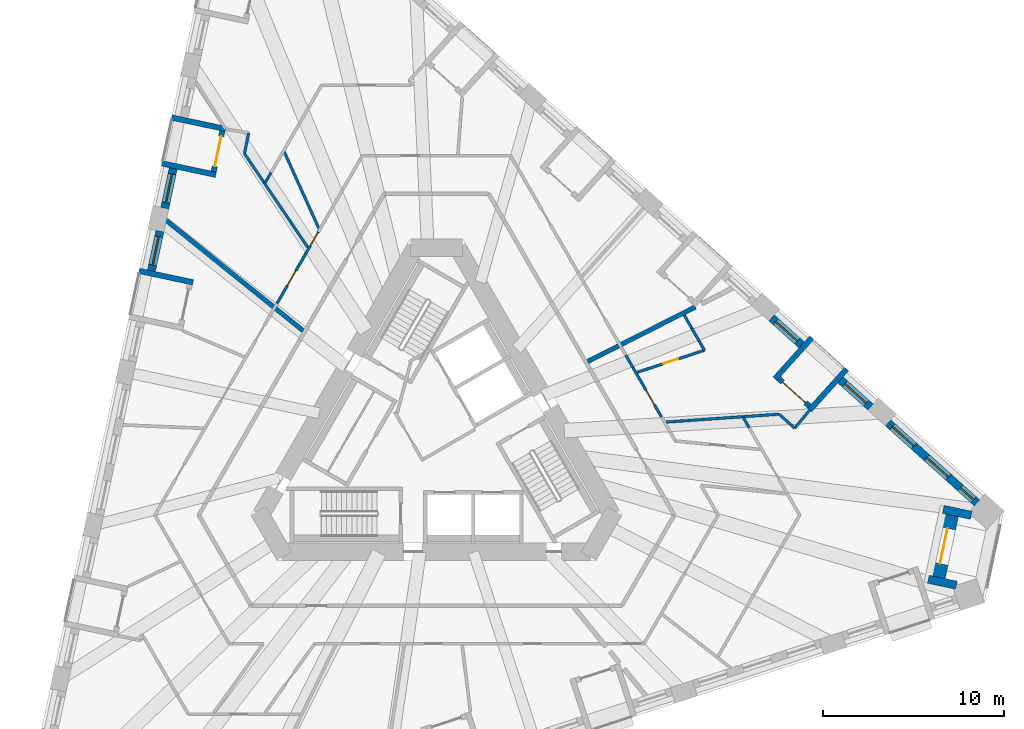
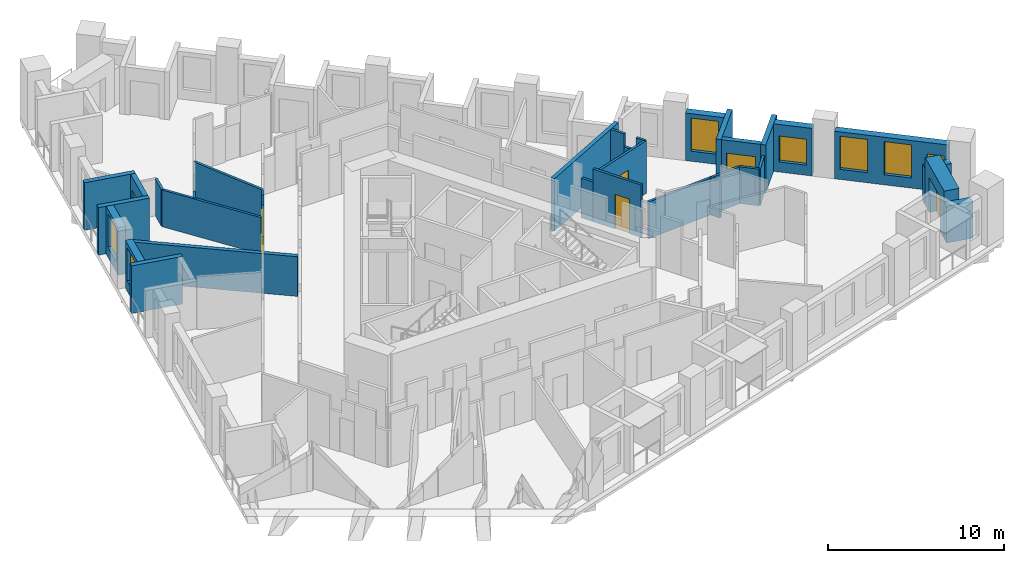
# One storey, part 7 of 13: 33 walls, 7 doors, 7 windows, 14 openings.
"""IFC4 building model written with IfcOpenShell, lengths in metres."""

from ifc_helpers import new_model, si_unit, direction, frame, frame_2d, origin, place, context, subcontext, project, spatial, polyline, rectangle, outline, extrude, material, layer, layer_set, type_object, element, fill, save


model = new_model("IFC4")

# Units and contexts
model_context = context("Model", 3, precision=1e-05, world=origin(), true_north=direction((0.0, 1.0)))
body_context = subcontext(model_context, "Body", "Model", "MODEL_VIEW")
ifc_project = project(units=[si_unit("LENGTHUNIT", "METRE"), si_unit("AREAUNIT", "SQUARE_METRE"), si_unit("VOLUMEUNIT", "CUBIC_METRE"), si_unit("PLANEANGLEUNIT", "RADIAN"), si_unit("MASSUNIT", "GRAM", prefix="KILO")], contexts=[model_context])

# Site, building, storey
site_placement = place(None, origin())
site = spatial("IfcSite", under=ifc_project, at=site_placement, CompositionType="ELEMENT")
building_placement = place(site_placement, origin())
building = spatial("IfcBuilding", under=site, at=building_placement, Name="Tramontana Tower", CompositionType="ELEMENT")
storey_placement = place(building_placement, frame((0.0, 0.0, 112.39990234375)))
storey = spatial("IfcBuildingStorey", under=building, at=storey_placement, Name="L25", CompositionType="ELEMENT", Elevation=112.39990234375)

# Wall, opening, window
ifc_material_1 = material(Name="Precast concrete 60 MPa", Category="concrete")
ifc_layer_1 = layer(ifc_material_1, 0.449951171875)
ifc_layer_set_1 = layer_set([ifc_layer_1], Name="Precast concrete 60 MPa, 450 mm")
wall_type_1 = type_object("IfcWallType", Name="EW1 Stone-faced precast wall 450", PredefinedType="SOLIDWALL", material=ifc_layer_set_1)
wall_1_placement = place(storey_placement, frame((-14.545654296875, 14.896728515625, 0.0), z_axis=(0.0, 0.0, 1.0), x_axis=(-0.207941001029, -0.978141370197, 0.0)))
wall_1 = element("IfcWall", 1, at=wall_1_placement, inside=storey, type_object=wall_type_1, Name="External wall L25 face 0 bay 2", PredefinedType="SOLIDWALL", context=body_context, shape_type="SweptSolid", body=[
    extrude(rectangle(XDim=2.236572265625, YDim=0.449951171875, at=frame_2d((1.1181640625, 0.0))), origin(), (0.0, 0.0, 1.0), 3.300048828125),
])
opening_1_placement = place(wall_1_placement, frame((0.318359375, 0.0, 0.699951171875)))
opening_1 = element("IfcOpeningElement", 2, at=opening_1_placement, cuts=wall_1, Name="Opening M1", PredefinedType="OPENING", context=body_context, shape_type="SweptSolid", body=[
    extrude(rectangle(XDim=1.60009765625, YDim=2.300048828125, at=frame_2d((0.800048828125, 1.14990234375))), frame((0.0, 0.23486328125, 0.0), z_axis=(0.0, -1.0, 0.0), x_axis=(1.0, 0.0, 0.0)), (0.0, 0.0, 1.0), 0.469970703125),
])
ifc_material_2 = material(Name="Aluminum frame, double glazing unit", Category="aluminium")
window_type_1 = type_object("IfcWindowType", Name="M1 Window 1.6 x 2.3", PartitioningType="SINGLE_PANEL", PredefinedType="WINDOW", material=ifc_material_2)
window_1_placement = place(opening_1_placement, origin())
window_1 = element("IfcWindow", 3, at=window_1_placement, inside=storey, type_object=window_type_1, Name="Window M1 L25 face 0 module 6", OverallHeight=2.300048828125, OverallWidth=1.60009765625, PartitioningType="SINGLE_PANEL", PredefinedType="WINDOW", context=body_context, shape_type="SweptSolid", body=[
    extrude(rectangle(XDim=1.60009765625, YDim=2.300048828125, at=frame_2d((0.800048828125, 1.14990234375))), frame((0.0, 0.030029296875, 0.0), z_axis=(0.0, -1.0, 0.0), x_axis=(1.0, 0.0, 0.0)), (0.0, 0.0, 1.0), 0.06005859375),
])
fill(opening_1, window_1)

wall_2_placement = place(storey_placement, frame((-15.281005859375, 11.437255859375, 0.0), z_axis=(0.0, 0.0, 1.0), x_axis=(-0.207941001029, -0.978141370197, 0.0)))
wall_2 = element("IfcWall", 4, at=wall_2_placement, inside=storey, type_object=wall_type_1, Name="External wall L25 face 0 bay 3", PredefinedType="SOLIDWALL", context=body_context, shape_type="SweptSolid", body=[
    extrude(rectangle(XDim=2.236572265625, YDim=0.449951171875, at=frame_2d((1.1181640625, 0.0))), origin(), (0.0, 0.0, 1.0), 3.300048828125),
])
opening_2_placement = place(wall_2_placement, frame((0.318359375, 0.0, 0.699951171875)))
opening_2 = element("IfcOpeningElement", 5, at=opening_2_placement, cuts=wall_2, Name="Opening M1", PredefinedType="OPENING", context=body_context, shape_type="SweptSolid", body=[
    extrude(rectangle(XDim=1.60009765625, YDim=2.300048828125, at=frame_2d((0.800048828125, 1.14990234375))), frame((0.0, 0.23486328125, 0.0), z_axis=(0.0, -1.0, 0.0), x_axis=(1.0, 0.0, 0.0)), (0.0, 0.0, 1.0), 0.469970703125),
])
window_2_placement = place(opening_2_placement, origin())
window_2 = element("IfcWindow", 6, at=window_2_placement, inside=storey, type_object=window_type_1, Name="Window M1 L25 face 0 module 7", OverallHeight=2.300048828125, OverallWidth=1.60009765625, PartitioningType="SINGLE_PANEL", PredefinedType="WINDOW", context=body_context, shape_type="SweptSolid", body=[
    extrude(rectangle(XDim=1.60009765625, YDim=2.300048828125, at=frame_2d((0.800048828125, 1.14990234375))), frame((0.0, 0.030029296875, 0.0), z_axis=(0.0, -1.0, 0.0), x_axis=(1.0, 0.0, 0.0)), (0.0, 0.0, 1.0), 0.06005859375),
])
fill(opening_2, window_2)

# Wall, openings, windows
wall_3_placement = place(storey_placement, frame((29.85986328125, -3.57275390625, 0.0), z_axis=(0.0, 0.0, 1.0), x_axis=(-0.743161908204, 0.669111633582, 0.0)))
wall_3 = element("IfcWall", 7, at=wall_3_placement, inside=storey, type_object=wall_type_1, Name="External wall L25 face 2 bay 1", PredefinedType="SOLIDWALL", context=body_context, shape_type="SweptSolid", body=[
    extrude(rectangle(XDim=6.6103515625, YDim=0.449951171875, at=frame_2d((3.30517578125, 0.0))), origin(), (0.0, 0.0, 1.0), 3.300048828125),
])
opening_3_placement = place(wall_3_placement, frame((0.243408203125, 0.0, 0.699951171875)))
opening_3 = element("IfcOpeningElement", 8, at=opening_3_placement, cuts=wall_3, Name="Opening N1L", PredefinedType="OPENING", context=body_context, shape_type="SweptSolid", body=[
    extrude(rectangle(XDim=1.0, YDim=1.800048828125, at=frame_2d((0.5, 0.89990234375))), frame((0.0, 0.23486328125, 0.0), z_axis=(0.0, -1.0, 0.0), x_axis=(1.0, 0.0, 0.0)), (0.0, 0.0, 1.0), 0.469970703125),
])
opening_4_placement = place(wall_3_placement, frame((2.130126953125, 0.0, 0.699951171875)))
opening_4 = element("IfcOpeningElement", 9, at=opening_4_placement, cuts=wall_3, Name="Opening M1", PredefinedType="OPENING", context=body_context, shape_type="SweptSolid", body=[
    extrude(rectangle(XDim=1.60009765625, YDim=2.300048828125, at=frame_2d((0.800048828125, 1.14990234375))), frame((0.0, 0.23486328125, 0.0), z_axis=(0.0, -1.0, 0.0), x_axis=(1.0, 0.0, 0.0)), (0.0, 0.0, 1.0), 0.469970703125),
])
opening_5_placement = place(wall_3_placement, frame((4.69189453125, 0.0, 0.699951171875)))
opening_5 = element("IfcOpeningElement", 10, at=opening_5_placement, cuts=wall_3, Name="Opening M1", PredefinedType="OPENING", context=body_context, shape_type="SweptSolid", body=[
    extrude(rectangle(XDim=1.60009765625, YDim=2.300048828125, at=frame_2d((0.800048828125, 1.14990234375))), frame((0.0, 0.23486328125, 0.0), z_axis=(0.0, -1.0, 0.0), x_axis=(1.0, 0.0, 0.0)), (0.0, 0.0, 1.0), 0.469970703125),
])
window_3_placement = place(opening_4_placement, origin())
window_3 = element("IfcWindow", 11, at=window_3_placement, inside=storey, type_object=window_type_1, Name="Window M1 L25 face 2 module 2", OverallHeight=2.300048828125, OverallWidth=1.60009765625, PartitioningType="SINGLE_PANEL", PredefinedType="WINDOW", context=body_context, shape_type="SweptSolid", body=[
    extrude(rectangle(XDim=1.60009765625, YDim=2.300048828125, at=frame_2d((0.800048828125, 1.14990234375))), frame((0.0, 0.030029296875, 0.0), z_axis=(0.0, -1.0, 0.0), x_axis=(1.0, 0.0, 0.0)), (0.0, 0.0, 1.0), 0.06005859375),
])
fill(opening_4, window_3)
window_4_placement = place(opening_5_placement, origin())
window_4 = element("IfcWindow", 12, at=window_4_placement, inside=storey, type_object=window_type_1, Name="Window M1 L25 face 2 module 3", OverallHeight=2.300048828125, OverallWidth=1.60009765625, PartitioningType="SINGLE_PANEL", PredefinedType="WINDOW", context=body_context, shape_type="SweptSolid", body=[
    extrude(rectangle(XDim=1.60009765625, YDim=2.300048828125, at=frame_2d((0.800048828125, 1.14990234375))), frame((0.0, 0.030029296875, 0.0), z_axis=(0.0, -1.0, 0.0), x_axis=(1.0, 0.0, 0.0)), (0.0, 0.0, 1.0), 0.06005859375),
])
fill(opening_5, window_4)
ifc_material_3 = material(Name="Aluminum frame, double glazing unit", Category="aluminium")
window_type_2 = type_object("IfcWindowType", Name="N1L Window 1 x 1.8", PartitioningType="SINGLE_PANEL", PredefinedType="WINDOW", material=ifc_material_3)
window_5_placement = place(opening_3_placement, origin())
window_5 = element("IfcWindow", 13, at=window_5_placement, inside=storey, type_object=window_type_2, Name="Window N1L L25 face 2 module 1", OverallHeight=1.800048828125, OverallWidth=1.0, PartitioningType="SINGLE_PANEL", PredefinedType="WINDOW", context=body_context, shape_type="SweptSolid", body=[
    extrude(rectangle(XDim=1.0, YDim=1.800048828125, at=frame_2d((0.5, 0.89990234375))), frame((0.0, 0.030029296875, 0.0), z_axis=(0.0, -1.0, 0.0), x_axis=(1.0, 0.0, 0.0)), (0.0, 0.0, 1.0), 0.06005859375),
])
fill(opening_3, window_5)

# Wall, opening, window
wall_4_placement = place(storey_placement, frame((23.981201171875, 1.72021484375, 0.0), z_axis=(0.0, 0.0, 1.0), x_axis=(-0.743142151309, 0.669133576311, 0.0)))
wall_4 = element("IfcWall", 14, at=wall_4_placement, inside=storey, type_object=wall_type_1, Name="External wall L25 face 2 bay 2", PredefinedType="SOLIDWALL", context=body_context, shape_type="SweptSolid", body=[
    extrude(rectangle(XDim=2.236572265625, YDim=0.449951171875, at=frame_2d((1.1181640625, 0.0))), origin(), (0.0, 0.0, 1.0), 3.300048828125),
])
opening_6_placement = place(wall_4_placement, frame((0.318359375, 0.0, 0.699951171875)))
opening_6 = element("IfcOpeningElement", 15, at=opening_6_placement, cuts=wall_4, Name="Opening M1L", PredefinedType="OPENING", context=body_context, shape_type="SweptSolid", body=[
    extrude(rectangle(XDim=1.60009765625, YDim=1.800048828125, at=frame_2d((0.800048828125, 0.89990234375))), frame((0.0, 0.23486328125, 0.0), z_axis=(0.0, -1.0, 0.0), x_axis=(1.0, 0.0, 0.0)), (0.0, 0.0, 1.0), 0.469970703125),
])
ifc_material_4 = material(Name="Aluminum frame, double glazing unit", Category="aluminium")
window_type_3 = type_object("IfcWindowType", Name="M1L Window 1.6 x 1.8", PartitioningType="SINGLE_PANEL", PredefinedType="WINDOW", material=ifc_material_4)
window_6_placement = place(opening_6_placement, origin())
window_6 = element("IfcWindow", 16, at=window_6_placement, inside=storey, type_object=window_type_3, Name="Window M1L L25 face 2 module 4", OverallHeight=1.800048828125, OverallWidth=1.60009765625, PartitioningType="SINGLE_PANEL", PredefinedType="WINDOW", context=body_context, shape_type="SweptSolid", body=[
    extrude(rectangle(XDim=1.60009765625, YDim=1.800048828125, at=frame_2d((0.800048828125, 0.89990234375))), frame((0.0, 0.030029296875, 0.0), z_axis=(0.0, -1.0, 0.0), x_axis=(1.0, 0.0, 0.0)), (0.0, 0.0, 1.0), 0.06005859375),
])
fill(opening_6, window_6)

wall_5_placement = place(storey_placement, frame((20.173828125, 5.1484375, 0.0), z_axis=(0.0, 0.0, 1.0), x_axis=(-0.743136746477, 0.669139578889, 0.0)))
wall_5 = element("IfcWall", 17, at=wall_5_placement, inside=storey, type_object=wall_type_1, Name="External wall L25 face 2 bay 2", PredefinedType="SOLIDWALL", context=body_context, shape_type="SweptSolid", body=[
    extrude(rectangle(XDim=2.237060546875, YDim=0.449951171875, at=frame_2d((1.11865234375, 0.0))), origin(), (0.0, 0.0, 1.0), 3.300048828125),
])
opening_7_placement = place(wall_5_placement, frame((0.318359375, 0.0, 0.699951171875)))
opening_7 = element("IfcOpeningElement", 18, at=opening_7_placement, cuts=wall_5, Name="Opening M1", PredefinedType="OPENING", context=body_context, shape_type="SweptSolid", body=[
    extrude(rectangle(XDim=1.60009765625, YDim=2.300048828125, at=frame_2d((0.800048828125, 1.14990234375))), frame((0.0, 0.23486328125, 0.0), z_axis=(0.0, -1.0, 0.0), x_axis=(1.0, 0.0, 0.0)), (0.0, 0.0, 1.0), 0.469970703125),
])
window_7_placement = place(opening_7_placement, origin())
window_7 = element("IfcWindow", 19, at=window_7_placement, inside=storey, type_object=window_type_1, Name="Window M1 L25 face 2 module 6", OverallHeight=2.300048828125, OverallWidth=1.60009765625, PartitioningType="SINGLE_PANEL", PredefinedType="WINDOW", context=body_context, shape_type="SweptSolid", body=[
    extrude(rectangle(XDim=1.60009765625, YDim=2.300048828125, at=frame_2d((0.800048828125, 1.14990234375))), frame((0.0, 0.030029296875, 0.0), z_axis=(0.0, -1.0, 0.0), x_axis=(1.0, 0.0, 0.0)), (0.0, 0.0, 1.0), 0.06005859375),
])
fill(opening_7, window_7)

# Walls
for number, where, z_axis, x_axis, name in (
    (20, (29.5390625, -4.259521484375, 0.0), (0.0, 0.0, 1.0), (-0.978142738706, 0.207934563547, 0.0), "Corner loggia side wall L25 K22l"),
    (21, (28.7177734375, -8.123291015625, 0.0), (0.0, 0.0, 1.0), (-0.978142738706, 0.207934563547, 0.0), "Corner loggia side wall L25 K22r"),
):
    element("IfcWall", number, at=place(storey_placement, frame(where, z_axis=z_axis, x_axis=x_axis)), inside=storey, type_object=wall_type_1, Name=name, PredefinedType="SOLIDWALL", context=body_context, shape_type="SweptSolid", body=[
        extrude(rectangle(XDim=1.5791015625, YDim=0.449951171875, at=frame_2d((0.78955078125, 0.0))), origin(), (0.0, 0.0, 1.0), 2.550048828125),
    ])

# Wall, opening, door
ifc_material_5 = material(Name="Precast concrete 60 MPa", Category="concrete")
ifc_layer_2 = layer(ifc_material_5, 0.89990234375)
ifc_layer_set_2 = layer_set([ifc_layer_2], Name="EW2 Stone-faced corner loggia wall 900")
wall_type_2 = type_object("IfcWallType", Name="EW2 Stone-faced corner loggia wall 900", PredefinedType="SOLIDWALL", material=ifc_layer_set_2)
wall_6_placement = place(storey_placement, frame((28.3876953125, -4.244873046875, 0.0), z_axis=(0.0, 0.0, 1.0), x_axis=(-0.207866264069, -0.978157255385, 0.0)))
wall_6 = element("IfcWall", 22, at=wall_6_placement, inside=storey, type_object=wall_type_2, Name="Corner loggia wall L25 K22", PredefinedType="SOLIDWALL", context=body_context, shape_type="SweptSolid", body=[
    extrude(rectangle(XDim=3.5, YDim=0.89990234375, at=frame_2d((1.75, 0.0))), origin(), (0.0, 0.0, 1.0), 3.300048828125),
])
opening_8_placement = place(wall_6_placement, frame((0.75, 0.0, 0.0)))
opening_8 = element("IfcOpeningElement", 23, at=opening_8_placement, cuts=wall_6, Name="Opening BD-22C", PredefinedType="OPENING", context=body_context, shape_type="SweptSolid", body=[
    extrude(rectangle(XDim=2.0, YDim=2.39990234375, at=frame_2d((1.0, 1.199951171875))), frame((0.0, 0.4599609375, 0.0), z_axis=(0.0, -1.0, 0.0), x_axis=(1.0, 0.0, 0.0)), (0.0, 0.0, 1.0), 0.919921875),
])
ifc_material_6 = material(Name="Aluminum frame, double glazing unit", Category="aluminium")
door_type_1 = type_object("IfcDoorType", Name="BC1 Sliding door 2 x 2.4", OperationType="SLIDING_TO_LEFT", PredefinedType="DOOR", material=ifc_material_6)
door_1_placement = place(opening_8_placement, origin())
door_1 = element("IfcDoor", 24, at=door_1_placement, inside=storey, type_object=door_type_1, Name="Corner loggia door L25 K22", OperationType="SLIDING_TO_LEFT", OverallHeight=2.39990234375, OverallWidth=2.0, PredefinedType="DOOR", context=body_context, shape_type="SweptSolid", body=[
    extrude(rectangle(XDim=2.0, YDim=2.39990234375, at=frame_2d((1.0, 1.199951171875))), frame((0.0, 0.02490234375, 0.0), z_axis=(0.0, -1.0, 0.0), x_axis=(1.0, 0.0, 0.0)), (0.0, 0.0, 1.0), 0.050048828125),
])
fill(opening_8, door_1)

ifc_material_7 = material(Name="Precast concrete 60 MPa", Category="concrete")
ifc_layer_3 = layer(ifc_material_7, 0.300048828125)
ifc_layer_set_3 = layer_set([ifc_layer_3], Name="LW1 Stone-faced loggia wall 300")
wall_type_3 = type_object("IfcWallType", Name="LW1 Stone-faced loggia wall 300", PredefinedType="SOLIDWALL", material=ifc_layer_set_3)
wall_7_placement = place(storey_placement, frame((-11.83154296875, 16.96435546875, 0.0), z_axis=(0.0, 0.0, 1.0), x_axis=(-0.207866417042, -0.978157222877, 0.0)))
wall_7 = element("IfcWall", 25, at=wall_7_placement, inside=storey, type_object=wall_type_3, Name="Loggia wall L25 G2S0.4", PredefinedType="SOLIDWALL", context=body_context, shape_type="SweptSolid", body=[
    extrude(rectangle(XDim=2.286865234375, YDim=0.300048828125, at=frame_2d((1.1435546875, 0.0))), origin(), (0.0, 0.0, 1.0), 3.300048828125),
])
opening_9_placement = place(wall_7_placement, frame((0.29345703125, 0.0, 0.0)))
opening_9 = element("IfcOpeningElement", 26, at=opening_9_placement, cuts=wall_7, Name="Opening BD-2S0-04", PredefinedType="OPENING", context=body_context, shape_type="SweptSolid", body=[
    extrude(rectangle(XDim=1.699951171875, YDim=2.39990234375, at=frame_2d((0.85009765625, 1.199951171875))), frame((0.0, 0.159912109375, 0.0), z_axis=(0.0, -1.0, 0.0), x_axis=(1.0, 0.0, 0.0)), (0.0, 0.0, 1.0), 0.320068359375),
])
ifc_material_8 = material(Name="Aluminum frame, double glazing unit", Category="aluminium")
door_type_2 = type_object("IfcDoorType", Name="BD1 Sliding door 1.7 x 2.4", OperationType="SLIDING_TO_LEFT", PredefinedType="DOOR", material=ifc_material_8)
door_2_placement = place(opening_9_placement, origin())
door_2 = element("IfcDoor", 27, at=door_2_placement, inside=storey, type_object=door_type_2, Name="Loggia door L25 G2S0.4", OperationType="SLIDING_TO_LEFT", OverallHeight=2.39990234375, OverallWidth=1.699951171875, PredefinedType="DOOR", context=body_context, shape_type="SweptSolid", body=[
    extrude(rectangle(XDim=1.699951171875, YDim=2.39990234375, at=frame_2d((0.85009765625, 1.199951171875))), frame((0.0, 0.02490234375, 0.0), z_axis=(0.0, -1.0, 0.0), x_axis=(1.0, 0.0, 0.0)), (0.0, 0.0, 1.0), 0.050048828125),
])
fill(opening_9, door_2)

# Walls
for number, where, z_axis, x_axis, name in (
    (28, (-14.636962890625, 17.714111328125, 0.0), (0.0, 0.0, 1.0), (0.978138503145, -0.207954487003, 0.0), "Loggia return L25 G2S0.4a"),
    (29, (-15.1748046875, 15.183837890625, 0.0), (0.0, 0.0, 1.0), (0.978138503145, -0.207954487003, 0.0), "Loggia return L25 G2S0.4b"),
    (30, (-16.4375, 9.242919921875, 0.0), (0.0, 0.0, 1.0), (0.978154782045, -0.207877902534, 0.0), "Loggia return L25 G2S0.7a"),
):
    element("IfcWall", number, at=place(storey_placement, frame(where, z_axis=z_axis, x_axis=x_axis)), inside=storey, type_object=wall_type_3, Name=name, PredefinedType="SOLIDWALL", context=body_context, shape_type="SweptSolid", body=[
        extrude(rectangle(XDim=3.050048828125, YDim=0.300048828125, at=frame_2d((1.52490234375, 0.0))), origin(), (0.0, 0.0, 1.0), 3.300048828125),
    ])

# Wall, opening, door
wall_8_placement = place(storey_placement, frame((20.607421875, 1.76416015625, 0.0), z_axis=(0.0, 0.0, 1.0), x_axis=(-0.743182653308, 0.669088591909, 0.0)))
wall_8 = element("IfcWall", 31, at=wall_8_placement, inside=storey, type_object=wall_type_3, Name="Loggia wall L25 G2S2.4", PredefinedType="SOLIDWALL", context=body_context, shape_type="SweptSolid", body=[
    extrude(rectangle(XDim=2.28662109375, YDim=0.300048828125, at=frame_2d((1.143310546875, 0.0))), origin(), (0.0, 0.0, 1.0), 3.300048828125),
])
opening_10_placement = place(wall_8_placement, frame((0.29345703125, 0.0, 0.0)))
opening_10 = element("IfcOpeningElement", 32, at=opening_10_placement, cuts=wall_8, Name="Opening BD-2S2-04", PredefinedType="OPENING", context=body_context, shape_type="SweptSolid", body=[
    extrude(rectangle(XDim=1.699951171875, YDim=2.39990234375, at=frame_2d((0.85009765625, 1.199951171875))), frame((0.0, 0.159912109375, 0.0), z_axis=(0.0, -1.0, 0.0), x_axis=(1.0, 0.0, 0.0)), (0.0, 0.0, 1.0), 0.320068359375),
])
door_3_placement = place(opening_10_placement, origin())
door_3 = element("IfcDoor", 33, at=door_3_placement, inside=storey, type_object=door_type_2, Name="Loggia door L25 G2S2.4", OperationType="SLIDING_TO_LEFT", OverallHeight=2.39990234375, OverallWidth=1.699951171875, PredefinedType="DOOR", context=body_context, shape_type="SweptSolid", body=[
    extrude(rectangle(XDim=1.699951171875, YDim=2.39990234375, at=frame_2d((0.85009765625, 1.199951171875))), frame((0.0, 0.02490234375, 0.0), z_axis=(0.0, -1.0, 0.0), x_axis=(1.0, 0.0, 0.0)), (0.0, 0.0, 1.0), 0.050048828125),
])
fill(opening_10, door_3)

# Walls
for number, where, z_axis, x_axis, name in (
    (34, (22.6591796875, 3.81884765625, 0.0), (0.0, 0.0, 1.0), (-0.669115082961, -0.743158802514, 0.0), "Loggia return L25 G2S2.4a"),
    (35, (20.73681640625, 5.5498046875, 0.0), (0.0, 0.0, 1.0), (-0.669115082961, -0.743158802514, 0.0), "Loggia return L25 G2S2.4b"),
):
    element("IfcWall", number, at=place(storey_placement, frame(where, z_axis=z_axis, x_axis=x_axis)), inside=storey, type_object=wall_type_3, Name=name, PredefinedType="SOLIDWALL", context=body_context, shape_type="SweptSolid", body=[
        extrude(rectangle(XDim=3.050048828125, YDim=0.300048828125, at=frame_2d((1.52490234375, 0.0))), origin(), (0.0, 0.0, 1.0), 3.300048828125),
    ])

# Wall, opening, door
ifc_material_9 = material(Name="Gypsum board partition")
ifc_layer_4 = layer(ifc_material_9, 0.14990234375)
ifc_layer_set_4 = layer_set([ifc_layer_4], Name="PARTITION 150")
wall_type_4 = type_object("IfcWallType", Name="PARTITION 150", PredefinedType="PARTITIONING", material=ifc_layer_set_4)
wall_9_placement = place(storey_placement, frame((-8.809326171875, 7.44189453125, 0.0), z_axis=(0.0, 0.0, 1.0), x_axis=(0.500003371769, 0.866023457084, 0.0)))
wall_9 = element("IfcWall", 36, at=wall_9_placement, inside=storey, type_object=wall_type_4, Name="Wall v22-pw04-5", PredefinedType="PARTITIONING", context=body_context, shape_type="SweptSolid", body=[
    extrude(rectangle(XDim=3.15966796875, YDim=0.14990234375, at=frame_2d((1.579833984375, 0.0))), origin(), (0.0, 0.0, 1.0), 3.650146484375),
])
opening_11_placement = place(wall_9_placement, frame((1.13818359375, 0.0, 0.0)))
opening_11 = element("IfcOpeningElement", 37, at=opening_11_placement, cuts=wall_9, Name="Opening B2C-05", PredefinedType="OPENING", context=body_context, shape_type="SweptSolid", body=[
    extrude(rectangle(XDim=0.949951171875, YDim=2.39990234375, at=frame_2d((0.47509765625, 1.199951171875))), frame((0.0, 0.0849609375, 0.0), z_axis=(0.0, -1.0, 0.0), x_axis=(1.0, 0.0, 0.0)), (0.0, 0.0, 1.0), 0.169921875),
])
ifc_material_10 = material(Name="Painted timber", Category="wood")
door_type_3 = type_object("IfcDoorType", Name="DOOR ROOM 950", OperationType="SINGLE_SWING_LEFT", PredefinedType="DOOR", material=ifc_material_10)
door_4_placement = place(opening_11_placement, origin())
door_4 = element("IfcDoor", 38, at=door_4_placement, inside=storey, type_object=door_type_3, Name="Door B2C-05", OperationType="SINGLE_SWING_LEFT", OverallHeight=2.39990234375, OverallWidth=0.949951171875, PredefinedType="DOOR", context=body_context, shape_type="SweptSolid", body=[
    extrude(rectangle(XDim=0.949951171875, YDim=2.39990234375, at=frame_2d((0.47509765625, 1.199951171875))), frame((0.0, 0.02490234375, 0.0), z_axis=(0.0, -1.0, 0.0), x_axis=(1.0, 0.0, 0.0)), (0.0, 0.0, 1.0), 0.050048828125),
])
fill(opening_11, door_4)

wall_10_placement = place(storey_placement, frame((-7.2294921875, 10.17822265625, 0.0), z_axis=(0.0, 0.0, 1.0), x_axis=(0.500072546265, 0.865983515127, 0.0)))
wall_10 = element("IfcWall", 39, at=wall_10_placement, inside=storey, type_object=wall_type_4, Name="Wall v22-pw04-6", PredefinedType="PARTITIONING", context=body_context, shape_type="SweptSolid", body=[
    extrude(outline(polyline([(0.0, 0.0), (1.408447265625, 0.0), (1.408447265625, 3.650146484375), (0.978759765625, 3.650146484375), (0.978759765625, 2.550048828125), (0.0, 2.550048828125), (0.0, 0.0)])), frame((0.0, 0.074951171875, 0.0), z_axis=(0.0, -1.0, 0.0), x_axis=(1.0, 0.0, 0.0)), (0.0, 0.0, 1.0), 0.14990234375),
])
opening_12_placement = place(wall_10_placement, frame((0.508544921875, 0.0, 0.0)))
opening_12 = element("IfcOpeningElement", 40, at=opening_12_placement, cuts=wall_10, Name="Opening B2C-02", PredefinedType="OPENING", context=body_context, shape_type="SweptSolid", body=[
    extrude(rectangle(XDim=0.85009765625, YDim=2.39990234375, at=frame_2d((0.425048828125, 1.199951171875))), frame((0.0, 0.0849609375, 0.0), z_axis=(0.0, -1.0, 0.0), x_axis=(1.0, 0.0, 0.0)), (0.0, 0.0, 1.0), 0.169921875),
])
ifc_material_11 = material(Name="Painted timber", Category="wood")
door_type_4 = type_object("IfcDoorType", Name="DOOR BATH 850", OperationType="SINGLE_SWING_LEFT", PredefinedType="DOOR", material=ifc_material_11)
door_5_placement = place(opening_12_placement, origin())
door_5 = element("IfcDoor", 41, at=door_5_placement, inside=storey, type_object=door_type_4, Name="Door B2C-02", OperationType="SINGLE_SWING_RIGHT", OverallHeight=2.39990234375, OverallWidth=0.85009765625, PredefinedType="DOOR", context=body_context, shape_type="SweptSolid", body=[
    extrude(rectangle(XDim=0.85009765625, YDim=2.39990234375, at=frame_2d((0.425048828125, 1.199951171875))), frame((0.0, 0.02490234375, 0.0), z_axis=(0.0, -1.0, 0.0), x_axis=(1.0, 0.0, 0.0)), (0.0, 0.0, 1.0), 0.050048828125),
])
fill(opening_12, door_5)

# Walls
wall_11_placement = place(storey_placement, frame((-10.611572265625, 15.728515625, 0.0), z_axis=(0.0, 0.0, 1.0), x_axis=(0.207866350726, 0.97815723697, 0.0)))
element("IfcWall", 42, at=wall_11_placement, inside=storey, type_object=wall_type_4, Name="Wall v22-pw10-0", PredefinedType="PARTITIONING", context=body_context, shape_type="SweptSolid", body=[
    extrude(rectangle(XDim=1.1533203125, YDim=0.14990234375, at=frame_2d((0.57666015625, 0.0))), origin(), (0.0, 0.0, 1.0), 2.550048828125),
])
wall_12_placement = place(storey_placement, frame((-9.4873046875, 14.0673828125, 0.0), z_axis=(0.0, 0.0, 1.0), x_axis=(0.499844169366, 0.866115353951, 0.0)))
element("IfcWall", 43, at=wall_12_placement, inside=storey, type_object=wall_type_4, Name="Wall v22-pw13-0", PredefinedType="PARTITIONING", context=body_context, shape_type="SweptSolid", body=[
    extrude(rectangle(XDim=0.694580078125, YDim=0.14990234375, at=frame_2d((0.34716796875, 0.0))), origin(), (0.0, 0.0, 1.0), 2.550048828125),
])
wall_13_placement = place(storey_placement, frame((-7.10888671875, 10.536865234375, 0.0), z_axis=(0.0, 0.0, 1.0), x_axis=(-0.559306796717, 0.828960739207, 0.0)))
element("IfcWall", 44, at=wall_13_placement, inside=storey, type_object=wall_type_4, Name="Wall v22-pw19-0", PredefinedType="PARTITIONING", context=body_context, shape_type="SweptSolid", body=[
    extrude(rectangle(XDim=6.262451171875, YDim=0.14990234375, at=frame_2d((3.13134765625, 0.0))), origin(), (0.0, 0.0, 1.0), 2.550048828125),
])
wall_14_placement = place(storey_placement, frame((-6.463134765625, 11.509521484375, 0.0), z_axis=(0.0, 0.0, 1.0), x_axis=(-0.411949515553, 0.911206670649, 0.0)))
element("IfcWall", 45, at=wall_14_placement, inside=storey, type_object=wall_type_4, Name="Wall v22-pw21", PredefinedType="PARTITIONING", context=body_context, shape_type="SweptSolid", body=[
    extrude(rectangle(XDim=4.795654296875, YDim=0.14990234375, at=frame_2d((2.39794921875, 0.0))), origin(), (0.0, 0.0, 1.0), 3.650146484375),
])
wall_15_placement = place(storey_placement, frame((10.4580078125, 4.58642578125, 0.0), z_axis=(0.0, 0.0, 1.0), x_axis=(0.49979442921, -0.866144057608, 0.0)))
element("IfcWall", 46, at=wall_15_placement, inside=storey, type_object=wall_type_4, Name="Wall v22-pw30-4", PredefinedType="PARTITIONING", context=body_context, shape_type="SweptSolid", body=[
    extrude(rectangle(XDim=0.782958984375, YDim=0.14990234375, at=frame_2d((0.3916015625, 0.0))), origin(), (0.0, 0.0, 1.0), 2.75),
])

# Wall, opening, door
wall_16_placement = place(storey_placement, frame((10.849365234375, 3.908203125, 0.0), z_axis=(0.0, 0.0, 1.0), x_axis=(0.500027861653, -0.866009317254, 0.0)))
wall_16 = element("IfcWall", 47, at=wall_16_placement, inside=storey, type_object=wall_type_4, Name="Wall v22-pw30-5", PredefinedType="PARTITIONING", context=body_context, shape_type="SweptSolid", body=[
    extrude(rectangle(XDim=3.159912109375, YDim=0.14990234375, at=frame_2d((1.580078125, 0.0))), origin(), (0.0, 0.0, 1.0), 3.650146484375),
])
opening_13_placement = place(wall_16_placement, frame((1.440673828125, 0.0, 0.0)))
opening_13 = element("IfcOpeningElement", 48, at=opening_13_placement, cuts=wall_16, Name="Opening B2C-19", PredefinedType="OPENING", context=body_context, shape_type="SweptSolid", body=[
    extrude(rectangle(XDim=0.949951171875, YDim=2.39990234375, at=frame_2d((0.47509765625, 1.199951171875))), frame((0.0, 0.0849609375, 0.0), z_axis=(0.0, -1.0, 0.0), x_axis=(1.0, 0.0, 0.0)), (0.0, 0.0, 1.0), 0.169921875),
])
door_6_placement = place(opening_13_placement, origin())
door_6 = element("IfcDoor", 49, at=door_6_placement, inside=storey, type_object=door_type_3, Name="Door B2C-19", OperationType="SINGLE_SWING_LEFT", OverallHeight=2.39990234375, OverallWidth=0.949951171875, PredefinedType="DOOR", context=body_context, shape_type="SweptSolid", body=[
    extrude(rectangle(XDim=0.949951171875, YDim=2.39990234375, at=frame_2d((0.47509765625, 1.199951171875))), frame((0.0, 0.02490234375, 0.0), z_axis=(0.0, -1.0, 0.0), x_axis=(1.0, 0.0, 0.0)), (0.0, 0.0, 1.0), 0.050048828125),
])
fill(opening_13, door_6)

# Walls
wall_17_placement = place(storey_placement, frame((12.6796875, 0.88818359375, 0.0), z_axis=(0.0, 0.0, 1.0), x_axis=(0.997556875713, 0.069858998838, 0.0)))
element("IfcWall", 50, at=wall_17_placement, inside=storey, type_object=wall_type_4, Name="Wall v22-pw36-0", PredefinedType="PARTITIONING", context=body_context, shape_type="SweptSolid", body=[
    extrude(rectangle(XDim=6.2626953125, YDim=0.14990234375, at=frame_2d((3.13134765625, 0.0))), origin(), (0.0, 0.0, 1.0), 2.550048828125),
])
wall_18_placement = place(storey_placement, frame((13.6845703125, 6.797607421875, 0.0), z_axis=(0.0, 0.0, 1.0), x_axis=(0.499949632511, -0.866054481515, 0.0)))
element("IfcWall", 51, at=wall_18_placement, inside=storey, type_object=wall_type_4, Name="Wall v22-pw38-0", PredefinedType="PARTITIONING", context=body_context, shape_type="SweptSolid", body=[
    extrude(rectangle(XDim=0.8681640625, YDim=0.14990234375, at=frame_2d((0.43408203125, 0.0))), origin(), (0.0, 0.0, 1.0), 3.650146484375),
])
wall_19_placement = place(storey_placement, frame((14.11865234375, 6.045654296875, 0.0), z_axis=(0.0, 0.0, 1.0), x_axis=(0.500163300928, -0.865931101419, 0.0)))
element("IfcWall", 52, at=wall_19_placement, inside=storey, type_object=wall_type_4, Name="Wall v22-pw38-1", PredefinedType="PARTITIONING", context=body_context, shape_type="SweptSolid", body=[
    extrude(rectangle(XDim=0.782958984375, YDim=0.14990234375, at=frame_2d((0.3916015625, 0.0))), origin(), (0.0, 0.0, 1.0), 2.75),
])
wall_20_placement = place(storey_placement, frame((14.51025390625, 5.36767578125, 0.0), z_axis=(0.0, 0.0, 1.0), x_axis=(0.499758416753, -0.866164837017, 0.0)))
element("IfcWall", 53, at=wall_20_placement, inside=storey, type_object=wall_type_4, Name="Wall v22-pw38-2", PredefinedType="PARTITIONING", context=body_context, shape_type="SweptSolid", body=[
    extrude(rectangle(XDim=0.587646484375, YDim=0.14990234375, at=frame_2d((0.2939453125, 0.0))), origin(), (0.0, 0.0, 1.0), 3.650146484375),
])

# Wall, opening, door
wall_21_placement = place(storey_placement, frame((11.0908203125, 3.64013671875, 0.0), z_axis=(0.0, 0.0, 1.0), x_axis=(0.950147342907, 0.311801261651, 0.0)))
wall_21 = element("IfcWall", 54, at=wall_21_placement, inside=storey, type_object=wall_type_4, Name="Wall v22-pw41", PredefinedType="PARTITIONING", context=body_context, shape_type="SweptSolid", body=[
    extrude(rectangle(XDim=3.907958984375, YDim=0.14990234375, at=frame_2d((1.9541015625, 0.0))), origin(), (0.0, 0.0, 1.0), 3.650146484375),
])
opening_14_placement = place(wall_21_placement, frame((1.529052734375, 0.0, 0.0)))
opening_14 = element("IfcOpeningElement", 55, at=opening_14_placement, cuts=wall_21, Name="Opening B2C-20", PredefinedType="OPENING", context=body_context, shape_type="SweptSolid", body=[
    extrude(rectangle(XDim=0.85009765625, YDim=2.39990234375, at=frame_2d((0.425048828125, 1.199951171875))), frame((0.0, 0.0849609375, 0.0), z_axis=(0.0, -1.0, 0.0), x_axis=(1.0, 0.0, 0.0)), (0.0, 0.0, 1.0), 0.169921875),
])
door_7_placement = place(opening_14_placement, origin())
door_7 = element("IfcDoor", 56, at=door_7_placement, inside=storey, type_object=door_type_4, Name="Door B2C-20", OperationType="SINGLE_SWING_RIGHT", OverallHeight=2.39990234375, OverallWidth=0.85009765625, PredefinedType="DOOR", context=body_context, shape_type="SweptSolid", body=[
    extrude(rectangle(XDim=0.85009765625, YDim=2.39990234375, at=frame_2d((0.425048828125, 1.199951171875))), frame((0.0, 0.02490234375, 0.0), z_axis=(0.0, -1.0, 0.0), x_axis=(1.0, 0.0, 0.0)), (0.0, 0.0, 1.0), 0.050048828125),
])
fill(opening_14, door_7)

# Walls
wall_22_placement = place(storey_placement, frame((16.926513671875, 1.1826171875, 0.0), z_axis=(0.0, 0.0, 1.0), x_axis=(0.499844169366, -0.866115353951, 0.0)))
element("IfcWall", 57, at=wall_22_placement, inside=storey, type_object=wall_type_4, Name="Wall v22-pw45-0", PredefinedType="PARTITIONING", context=body_context, shape_type="SweptSolid", body=[
    extrude(rectangle(XDim=0.694580078125, YDim=0.14990234375, at=frame_2d((0.34716796875, 0.0))), origin(), (0.0, 0.0, 1.0), 2.550048828125),
])
wall_23_placement = place(storey_placement, frame((18.927001953125, 1.32568359375, 0.0), z_axis=(0.0, 0.0, 1.0), x_axis=(0.743073109926, -0.669210245966, 0.0)))
element("IfcWall", 58, at=wall_23_placement, inside=storey, type_object=wall_type_4, Name="Wall v22-pw46-0", PredefinedType="PARTITIONING", context=body_context, shape_type="SweptSolid", body=[
    extrude(rectangle(XDim=1.153564453125, YDim=0.14990234375, at=frame_2d((0.57666015625, 0.0))), origin(), (0.0, 0.0, 1.0), 2.550048828125),
])
wall_24_placement = place(storey_placement, frame((19.787109375, 0.553955078125, 0.0), z_axis=(0.0, 0.0, 1.0), x_axis=(0.639907081841, 0.768452292995, 0.0)))
element("IfcWall", 59, at=wall_24_placement, inside=storey, type_object=wall_type_4, Name="Wall v22-pw48-0", PredefinedType="PARTITIONING", context=body_context, shape_type="SweptSolid", body=[
    extrude(rectangle(XDim=1.299072265625, YDim=0.14990234375, at=frame_2d((0.6494140625, 0.0))), origin(), (0.0, 0.0, 1.0), 2.550048828125),
])
ifc_material_12 = material(Name="Blockwork", Category="masonry")
ifc_layer_5 = layer(ifc_material_12, 0.25)
ifc_layer_set_5 = layer_set([ifc_layer_5], Name="PARTY WALL 250")
wall_type_5 = type_object("IfcWallType", Name="PARTY WALL 250", PredefinedType="SOLIDWALL", material=ifc_layer_set_5)
wall_25_placement = place(storey_placement, frame((-7.36865234375, 5.937255859375, 0.0), z_axis=(0.0, 0.0, 1.0), x_axis=(-0.778682214383, 0.627418527781, 0.0)))
element("IfcWall", 60, at=wall_25_placement, inside=storey, type_object=wall_type_5, Name="Wall v22-pw18-0", PredefinedType="SOLIDWALL", context=body_context, shape_type="SweptSolid", body=[
    extrude(rectangle(XDim=9.705078125, YDim=0.25, at=frame_2d((4.8525390625, 0.0))), origin(), (0.0, 0.0, 1.0), 2.75),
])
wall_26_placement = place(storey_placement, frame((14.2939453125, 7.246826171875, 0.0), z_axis=(0.0, 0.0, 1.0), x_axis=(-0.891914003377, -0.452205053686, 0.0)))
element("IfcWall", 61, at=wall_26_placement, inside=storey, type_object=wall_type_5, Name="Wall v22-pw39", PredefinedType="SOLIDWALL", context=body_context, shape_type="SweptSolid", body=[
    extrude(rectangle(XDim=6.662353515625, YDim=0.25, at=frame_2d((3.3310546875, 0.0))), origin(), (0.0, 0.0, 1.0), 3.650146484375),
])

save(model, "model.ifc")
